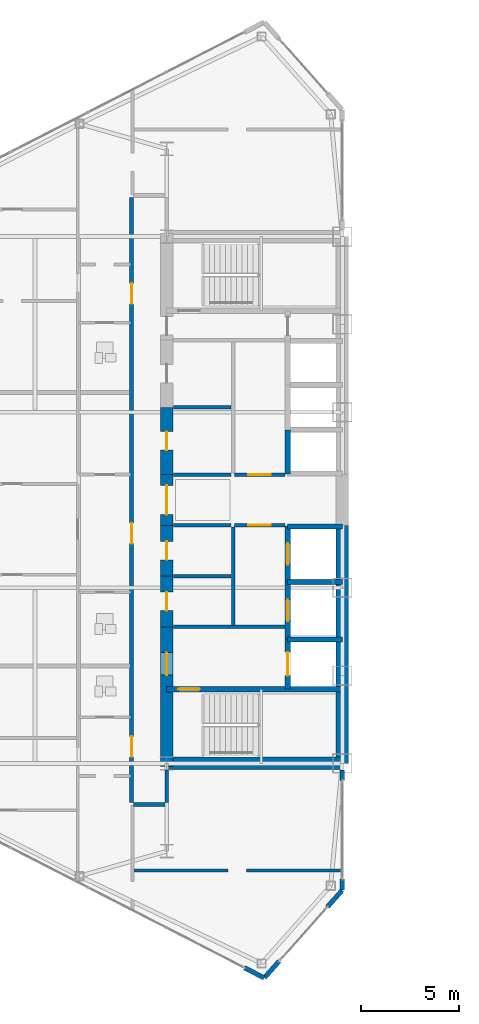
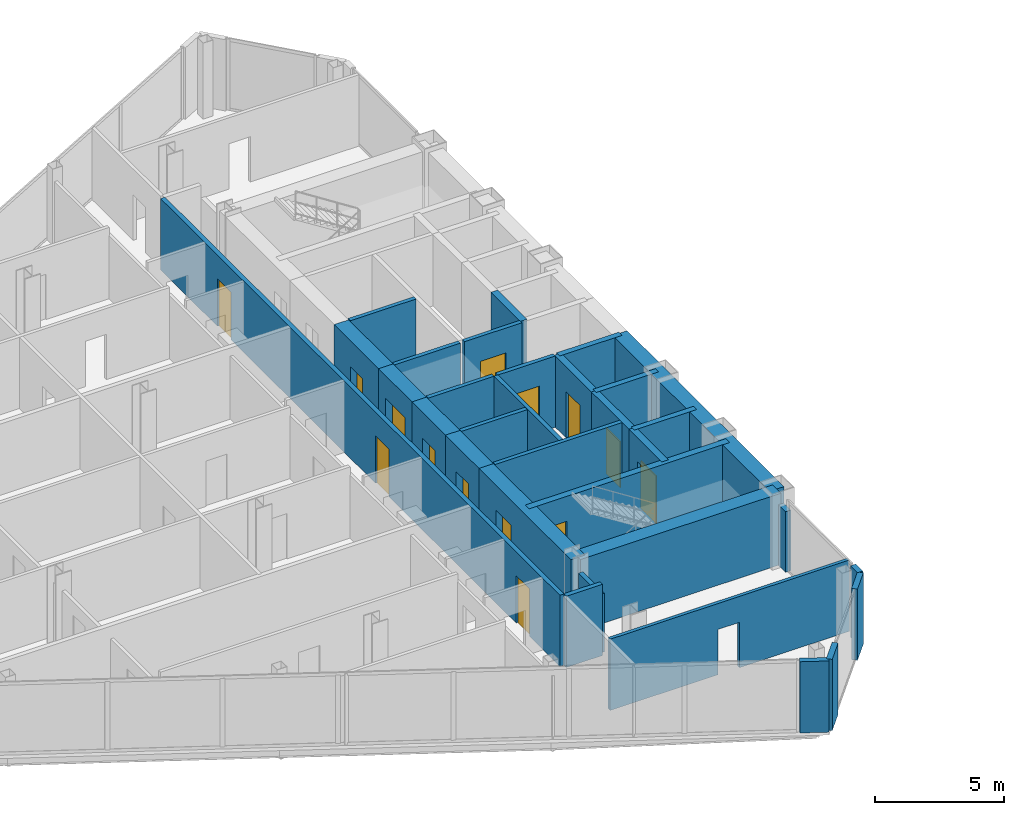
# One storey, part 17 of 24: 32 walls, 14 doors, 15 openings.
"""IFC4 building model written with IfcOpenShell, lengths in metres."""

from ifc_helpers import new_model, si_unit, direction, frame, frame_2d, origin, place, context, subcontext, project, spatial, rectangle, extrude, source, transform, mapped, material, layer, layer_set, type_object, type_shapes, element, fill, save


model = new_model("IFC4")

# Units and contexts
model_context = context("Model", 3, precision=1e-05, world=origin(), true_north=direction((0.0, 1.0)))
body_context = subcontext(model_context, "Body", "Model", "MODEL_VIEW")
ifc_project = project(units=[si_unit("LENGTHUNIT", "METRE"), si_unit("AREAUNIT", "SQUARE_METRE"), si_unit("VOLUMEUNIT", "CUBIC_METRE"), si_unit("PLANEANGLEUNIT", "RADIAN"), si_unit("MASSUNIT", "GRAM", prefix="KILO")], contexts=[model_context])

# Site, building, storey
site_placement = place(None, origin())
site = spatial("IfcSite", under=ifc_project, at=site_placement, CompositionType="ELEMENT")
building_placement = place(site_placement, origin())
building = spatial("IfcBuilding", under=site, at=building_placement, Name="Seokmaru Belvedere", CompositionType="ELEMENT")
storey_placement = place(building_placement, frame((0.0, 0.0, 114.0)))
storey = spatial("IfcBuildingStorey", under=building, at=storey_placement, Name="L30", CompositionType="ELEMENT", Elevation=114.0)

# Wall, opening
ifc_material_1 = material(Name="Fire-Rated Gypsum Shaftwall")
ifc_layer_1 = layer(ifc_material_1, 0.14990234375)
ifc_layer_set_1 = layer_set([ifc_layer_1], Name="Fire-Rated Gypsum Shaftwall")
wall_type_1 = type_object("IfcWallType", Name="Apartment Fire-Acoustic Room Partition 150", PredefinedType="PARTITIONING", material=ifc_layer_set_1)
wall_1_placement = place(storey_placement, frame((-38.199951171875, -19.0, 0.0), z_axis=(0.0, 0.0, 1.0), x_axis=(1.0, 0.0, 0.0)))
wall_1 = element("IfcWall", 1, at=wall_1_placement, inside=storey, type_object=wall_type_1, Name="L30 Interior Partition 001", PredefinedType="PARTITIONING", context=body_context, shape_type="SweptSolid", body=[
    extrude(rectangle(XDim=10.73486328125, YDim=0.14990234375, at=frame_2d((5.367431640625, 0.0))), origin(), (0.0, 0.0, 1.0), 3.3798828125),
])
opening_1_placement = place(wall_1_placement, frame((4.85009765625, 0.0, 0.0)))
element("IfcOpeningElement", 2, at=opening_1_placement, cuts=wall_1, Name="L30 Cased Opening 008", PredefinedType="OPENING", context=body_context, shape_type="SweptSolid", body=[
    extrude(rectangle(XDim=0.949951171875, YDim=2.14990234375, at=frame_2d((0.47509765625, 1.074951171875))), frame((0.0, 0.0849609375, 0.0), z_axis=(0.0, -1.0, 0.0), x_axis=(1.0, 0.0, 0.0)), (0.0, 0.0, 1.0), 0.169921875),
])

# Walls
ifc_layer_2 = layer(ifc_material_1, 0.179931640625)
ifc_layer_set_2 = layer_set([ifc_layer_2], Name="Fire-Rated Gypsum Shaftwall")
wall_type_2 = type_object("IfcWallType", Name="Core Service Fire Partition 180", PredefinedType="PARTITIONING", material=ifc_layer_set_2)
wall_2_placement = place(storey_placement, frame((-36.14990234375, -6.5, 0.0), z_axis=(0.0, 0.0, 1.0), x_axis=(1.0, 0.0, 0.0)))
element("IfcWall", 3, at=wall_2_placement, inside=storey, type_object=wall_type_2, Name="L30 West Firefighting Lobby Partition", PredefinedType="PARTITIONING", context=body_context, shape_type="SweptSolid", body=[
    extrude(rectangle(XDim=5.699951171875, YDim=0.179931640625, at=frame_2d((2.85009765625, 0.0))), origin(), (0.0, 0.0, 1.0), 3.3798828125),
])
wall_3_placement = place(storey_placement, frame((-33.10009765625, -6.419921875, 0.0), z_axis=(0.0, 0.0, 1.0), x_axis=(0.0, 1.0, 0.0)))
element("IfcWall", 4, at=wall_3_placement, inside=storey, type_object=wall_type_2, Name="L30 West South Core Service Back Wall", PredefinedType="PARTITIONING", context=body_context, shape_type="SweptSolid", body=[
    extrude(rectangle(XDim=5.0400390625, YDim=0.179931640625, at=frame_2d((2.52001953125, 0.0))), origin(), (0.0, 0.0, 1.0), 3.3798828125),
])

# Wall, opening, door
wall_4_placement = place(storey_placement, frame((-33.02001953125, -1.300048828125, 0.0), z_axis=(0.0, 0.0, 1.0), x_axis=(1.0, 0.0, 0.0)))
wall_4 = element("IfcWall", 5, at=wall_4_placement, inside=storey, type_object=wall_type_2, Name="L30 West South Lift Lobby Foyer Wall", PredefinedType="PARTITIONING", context=body_context, shape_type="SweptSolid", body=[
    extrude(rectangle(XDim=2.570068359375, YDim=0.179931640625, at=frame_2d((1.28515625, 0.0))), origin(), (0.0, 0.0, 1.0), 3.3798828125),
])
opening_2_placement = place(wall_4_placement, frame((0.7099609375, 0.0, 0.0)))
opening_2 = element("IfcOpeningElement", 6, at=opening_2_placement, cuts=wall_4, Name="Opening D02", PredefinedType="OPENING", context=body_context, shape_type="SweptSolid", body=[
    extrude(rectangle(XDim=1.14990234375, YDim=2.199951171875, at=frame_2d((0.574951171875, 1.10009765625))), frame((0.0, 0.10009765625, 0.0), z_axis=(0.0, -1.0, 0.0), x_axis=(1.0, 0.0, 0.0)), (0.0, 0.0, 1.0), 0.199951171875),
])
ifc_material_2 = material(Name="Fire-Rated Steel Leaf", Category="steel")
door_type_1 = type_object("IfcDoorType", Name="Lobby and Vestibule Fire Door 1150x2200", OperationType="NOTDEFINED", PredefinedType="DOOR", material=ifc_material_2)
shared_shape_1 = source(origin(), body_context, "Body", "SweptSolid", [
    extrude(rectangle(XDim=1.14990234375, YDim=2.199951171875, at=frame_2d((0.574951171875, 1.10009765625))), frame((0.0, 0.02490234375, 0.0), z_axis=(0.0, -1.0, 0.0), x_axis=(1.0, 0.0, 0.0)), (0.0, 0.0, 1.0), 0.050048828125),
])
type_shapes(door_type_1, [shared_shape_1])
door_1_placement = place(opening_2_placement, origin())
door_1 = element("IfcDoor", 7, at=door_1_placement, inside=storey, type_object=door_type_1, Name="L30 West South Core Foyer Door", OperationType="SINGLE_SWING_LEFT", OverallHeight=2.199951171875, OverallWidth=1.14990234375, PredefinedType="DOOR", context=body_context, shape_type="MappedRepresentation", body=[
    mapped(shared_shape_1, transform((0.0, 0.0, 0.0), scale=1.0)),
])
fill(opening_2, door_1)

wall_5_placement = place(storey_placement, frame((-33.02001953125, 1.300048828125, 0.0), z_axis=(0.0, 0.0, 1.0), x_axis=(1.0, 0.0, 0.0)))
wall_5 = element("IfcWall", 8, at=wall_5_placement, inside=storey, type_object=wall_type_2, Name="L30 West North Lift Lobby Foyer Wall", PredefinedType="PARTITIONING", context=body_context, shape_type="SweptSolid", body=[
    extrude(rectangle(XDim=2.570068359375, YDim=0.179931640625, at=frame_2d((1.28515625, 0.0))), origin(), (0.0, 0.0, 1.0), 3.3798828125),
])
opening_3_placement = place(wall_5_placement, frame((0.7099609375, 0.0, 0.0)))
opening_3 = element("IfcOpeningElement", 9, at=opening_3_placement, cuts=wall_5, Name="Opening D02", PredefinedType="OPENING", context=body_context, shape_type="SweptSolid", body=[
    extrude(rectangle(XDim=1.14990234375, YDim=2.199951171875, at=frame_2d((0.574951171875, 1.10009765625))), frame((0.0, 0.10009765625, 0.0), z_axis=(0.0, -1.0, 0.0), x_axis=(1.0, 0.0, 0.0)), (0.0, 0.0, 1.0), 0.199951171875),
])
door_2_placement = place(opening_3_placement, origin())
door_2 = element("IfcDoor", 10, at=door_2_placement, inside=storey, type_object=door_type_1, Name="L30 West North Lift Lobby Door", OperationType="SINGLE_SWING_RIGHT", OverallHeight=2.199951171875, OverallWidth=1.14990234375, PredefinedType="DOOR", context=body_context, shape_type="MappedRepresentation", body=[
    mapped(shared_shape_1, transform((0.0, 0.0, 0.0), scale=1.0)),
])
fill(opening_3, door_2)

# Walls
for number, where, z_axis, x_axis, name in (
    (11, (-36.14990234375, -1.300048828125, 0.0), (0.0, 0.0, 1.0), (1.0, 0.0, 0.0), "L30 West Foyer Side Wall S"),
    (12, (-36.14990234375, 1.300048828125, 0.0), (0.0, 0.0, 1.0), (1.0, 0.0, 0.0), "L30 West Foyer Side Wall N"),
    (13, (-36.14990234375, -3.89990234375, 0.0), (0.0, 0.0, 1.0), (1.0, 0.0, 0.0), "L30 West Core Service Partition 1"),
    (14, (-36.14990234375, 4.75, 0.0), (0.0, 0.0, 1.0), (1.0, 0.0, 0.0), "L30 West Core Service Partition 2"),
):
    element("IfcWall", number, at=place(storey_placement, frame(where, z_axis=z_axis, x_axis=x_axis)), inside=storey, type_object=wall_type_2, Name=name, PredefinedType="PARTITIONING", context=body_context, shape_type="SweptSolid", body=[
        extrude(rectangle(XDim=2.949951171875, YDim=0.179931640625, at=frame_2d((1.47509765625, 0.0))), origin(), (0.0, 0.0, 1.0), 3.3798828125),
    ])
ifc_material_3 = material(Name="Concrete C50 (50 MPa)", Category="concrete")
ifc_layer_3 = layer(ifc_material_3, 0.25)
ifc_layer_set_3 = layer_set([ifc_layer_3], Name="Concrete C50 (50 MPa)")
wall_type_3 = type_object("IfcWallType", Name="Hoistway Transverse Concrete Divider Wall 250", PredefinedType="SHEAR", material=ifc_layer_set_3)
for number, where, z_axis, x_axis, name in (
    (15, (-30.300048828125, -7.14990234375, 0.0), (0.0, 0.0, 1.0), (1.0, 0.0, 0.0), "L30 West Hoistway Divider Core Wall 1"),
    (16, (-30.300048828125, -4.199951171875, 0.0), (0.0, 0.0, 1.0), (1.0, 0.0, 0.0), "L30 West Hoistway Divider Core Wall 2"),
    (17, (-30.300048828125, -1.35009765625, 0.0), (0.0, 0.0, 1.0), (1.0, 0.0, 0.0), "L30 West Hoistway Divider Core Wall 3"),
):
    element("IfcWall", number, at=place(storey_placement, frame(where, z_axis=z_axis, x_axis=x_axis)), inside=storey, type_object=wall_type_3, Name=name, PredefinedType="SHEAR", context=body_context, shape_type="SweptSolid", body=[
        extrude(rectangle(XDim=2.800048828125, YDim=0.25, at=frame_2d((1.39990234375, 0.0))), origin(), (0.0, 0.0, 1.0), 3.3798828125),
    ])
ifc_layer_4 = layer(ifc_material_1, 0.199951171875)
ifc_layer_set_4 = layer_set([ifc_layer_4], Name="Fire-Rated Gypsum Shaftwall")
wall_type_4 = type_object("IfcWallType", Name="Inter-Tenancy Fire Compartment Partition 200", PredefinedType="PARTITIONING", material=ifc_layer_set_4)
wall_6_placement = place(storey_placement, frame((-38.215087890625, -15.60009765625, 0.0), z_axis=(0.0, 0.0, 1.0), x_axis=(1.0, 0.0, 0.0)))
element("IfcWall", 18, at=wall_6_placement, inside=storey, type_object=wall_type_4, Name="L30 Interior Partition 004", PredefinedType="PARTITIONING", context=body_context, shape_type="SweptSolid", body=[
    extrude(rectangle(XDim=1.630126953125, YDim=0.199951171875, at=frame_2d((0.81494140625, 0.0))), origin(), (0.0, 0.0, 1.0), 3.3798828125),
])

# Wall, openings, doors
wall_7_placement = place(storey_placement, frame((-38.300048828125, -15.514892578125, 0.0), z_axis=(0.0, 0.0, 1.0), x_axis=(0.0, 1.0, 0.0)))
wall_7 = element("IfcWall", 19, at=wall_7_placement, inside=storey, type_object=wall_type_4, Name="L30 Interior Partition 042", PredefinedType="PARTITIONING", context=body_context, shape_type="SweptSolid", body=[
    extrude(rectangle(XDim=31.02978515625, YDim=0.199951171875, at=frame_2d((15.514892578125, 0.0))), origin(), (0.0, 0.0, 1.0), 3.3798828125),
])
opening_4_placement = place(wall_7_placement, frame((2.344970703125, 0.0, 0.0)))
opening_4 = element("IfcOpeningElement", 20, at=opening_4_placement, cuts=wall_7, Name="Opening D03", PredefinedType="OPENING", context=body_context, shape_type="SweptSolid", body=[
    extrude(rectangle(XDim=1.050048828125, YDim=2.25, at=frame_2d((0.52490234375, 1.125))), frame((0.0, 0.10986328125, 0.0), z_axis=(0.0, -1.0, 0.0), x_axis=(1.0, 0.0, 0.0)), (0.0, 0.0, 1.0), 0.219970703125),
])
opening_5_placement = place(wall_7_placement, frame((13.280029296875, 0.0, 0.0)))
opening_5 = element("IfcOpeningElement", 21, at=opening_5_placement, cuts=wall_7, Name="Opening D03", PredefinedType="OPENING", context=body_context, shape_type="SweptSolid", body=[
    extrude(rectangle(XDim=1.050048828125, YDim=2.25, at=frame_2d((0.52490234375, 1.125))), frame((0.0, 0.10986328125, 0.0), z_axis=(0.0, -1.0, 0.0), x_axis=(1.0, 0.0, 0.0)), (0.0, 0.0, 1.0), 0.219970703125),
])
opening_6_placement = place(wall_7_placement, frame((25.5673828125, 0.0, 0.0)))
opening_6 = element("IfcOpeningElement", 22, at=opening_6_placement, cuts=wall_7, Name="Opening D03", PredefinedType="OPENING", context=body_context, shape_type="SweptSolid", body=[
    extrude(rectangle(XDim=1.050048828125, YDim=2.25, at=frame_2d((0.52490234375, 1.125))), frame((0.0, 0.10986328125, 0.0), z_axis=(0.0, -1.0, 0.0), x_axis=(1.0, 0.0, 0.0)), (0.0, 0.0, 1.0), 0.219970703125),
])
door_type_2 = type_object("IfcDoorType", Name="Apartment Entrance Fire Door 1050x2250", OperationType="NOTDEFINED", PredefinedType="DOOR", material=ifc_material_2)
shared_shape_2 = source(origin(), body_context, "Body", "SweptSolid", [
    extrude(rectangle(XDim=1.050048828125, YDim=2.25, at=frame_2d((0.52490234375, 1.125))), frame((0.0, 0.02490234375, 0.0), z_axis=(0.0, -1.0, 0.0), x_axis=(1.0, 0.0, 0.0)), (0.0, 0.0, 1.0), 0.050048828125),
])
type_shapes(door_type_2, [shared_shape_2])
door_3_placement = place(opening_4_placement, origin())
door_3 = element("IfcDoor", 23, at=door_3_placement, inside=storey, type_object=door_type_2, Name="L30 Interior Door 001", OperationType="SINGLE_SWING_RIGHT", OverallHeight=2.25, OverallWidth=1.050048828125, PredefinedType="DOOR", context=body_context, shape_type="MappedRepresentation", body=[
    mapped(shared_shape_2, transform((0.0, 0.0, 0.0), scale=1.0)),
])
fill(opening_4, door_3)
door_4_placement = place(opening_5_placement, origin())
door_4 = element("IfcDoor", 24, at=door_4_placement, inside=storey, type_object=door_type_2, Name="L30 Interior Door 010", OperationType="SINGLE_SWING_LEFT", OverallHeight=2.25, OverallWidth=1.050048828125, PredefinedType="DOOR", context=body_context, shape_type="MappedRepresentation", body=[
    mapped(shared_shape_2, transform((0.0, 0.0, 0.0), scale=1.0)),
])
fill(opening_5, door_4)
door_5_placement = place(opening_6_placement, origin())
door_5 = element("IfcDoor", 25, at=door_5_placement, inside=storey, type_object=door_type_2, Name="L30 Interior Door 025", OperationType="SINGLE_SWING_RIGHT", OverallHeight=2.25, OverallWidth=1.050048828125, PredefinedType="DOOR", context=body_context, shape_type="MappedRepresentation", body=[
    mapped(shared_shape_2, transform((0.0, 0.0, 0.0), scale=1.0)),
])
fill(opening_6, door_5)

# Wall
wall_8_placement = place(storey_placement, frame((-36.5, -15.514892578125, 0.0), z_axis=(0.0, 0.0, 1.0), x_axis=(0.0, 1.0, 0.0)))
element("IfcWall", 26, at=wall_8_placement, inside=storey, type_object=wall_type_4, Name="L30 Interior Partition 045", PredefinedType="PARTITIONING", context=body_context, shape_type="SweptSolid", body=[
    extrude(rectangle(XDim=1.684814453125, YDim=0.199951171875, at=frame_2d((0.84228515625, 0.0))), origin(), (0.0, 0.0, 1.0), 2.780029296875),
])

# Wall, opening, door
ifc_layer_5 = layer(ifc_material_3, 0.300048828125)
ifc_layer_set_5 = layer_set([ifc_layer_5], Name="Concrete C50 (50 MPa)")
wall_type_5 = type_object("IfcWallType", Name="Internal Core Stair and Hoistway Wall 300", PredefinedType="SHEAR", material=ifc_layer_set_5)
wall_9_placement = place(storey_placement, frame((-36.5, -9.699951171875, 0.0), z_axis=(0.0, 0.0, 1.0), x_axis=(1.0, 0.0, 0.0)))
wall_9 = element("IfcWall", 27, at=wall_9_placement, inside=storey, type_object=wall_type_5, Name="L30 West Stair ST-1 Enclosure Wall", PredefinedType="SHEAR", context=body_context, shape_type="SweptSolid", body=[
    extrude(rectangle(XDim=9.0, YDim=0.300048828125, at=frame_2d((4.5, 0.0))), origin(), (0.0, 0.0, 1.0), 3.3798828125),
])
opening_7_placement = place(wall_9_placement, frame((0.60009765625, 0.0, 0.0)))
opening_7 = element("IfcOpeningElement", 28, at=opening_7_placement, cuts=wall_9, Name="Opening D01", PredefinedType="OPENING", context=body_context, shape_type="SweptSolid", body=[
    extrude(rectangle(XDim=1.10009765625, YDim=2.199951171875, at=frame_2d((0.550048828125, 1.10009765625))), frame((0.0, 0.16015625, 0.0), z_axis=(0.0, -1.0, 0.0), x_axis=(1.0, 0.0, 0.0)), (0.0, 0.0, 1.0), 0.320068359375),
])
door_type_3 = type_object("IfcDoorType", Name="Special Escape Stair Smokeproof Fire Door 1100x2200", OperationType="NOTDEFINED", PredefinedType="DOOR", material=ifc_material_2)
shared_shape_3 = source(origin(), body_context, "Body", "SweptSolid", [
    extrude(rectangle(XDim=1.10009765625, YDim=2.199951171875, at=frame_2d((0.550048828125, 1.10009765625))), frame((0.0, 0.02490234375, 0.0), z_axis=(0.0, -1.0, 0.0), x_axis=(1.0, 0.0, 0.0)), (0.0, 0.0, 1.0), 0.050048828125),
])
type_shapes(door_type_3, [shared_shape_3])
door_6_placement = place(opening_7_placement, frame((1.10009765625, 0.0, 0.0), z_axis=(0.0, 0.0, 1.0), x_axis=(-1.0, 0.0, 0.0)))
door_6 = element("IfcDoor", 29, at=door_6_placement, inside=storey, type_object=door_type_3, Name="L30 West Special Escape Stair ST-1 Door", OperationType="SINGLE_SWING_LEFT", OverallHeight=2.199951171875, OverallWidth=1.10009765625, PredefinedType="DOOR", context=body_context, shape_type="MappedRepresentation", body=[
    mapped(shared_shape_3, transform((0.0, 0.0, 0.0), scale=1.0)),
])
fill(opening_7, door_6)

wall_10_placement = place(storey_placement, frame((-30.300048828125, -9.679931640625, 0.0), z_axis=(0.0, 0.0, 1.0), x_axis=(0.0, 1.0, 0.0)))
wall_10 = element("IfcWall", 30, at=wall_10_placement, inside=storey, type_object=wall_type_5, Name="L30 West Firefighting Lift Shaft Front Wall", PredefinedType="SHEAR", context=body_context, shape_type="SweptSolid", body=[
    extrude(rectangle(XDim=2.559814453125, YDim=0.300048828125, at=frame_2d((1.27978515625, 0.0))), origin(), (0.0, 0.0, 1.0), 3.3798828125),
])
opening_8_placement = place(wall_10_placement, frame((0.679931640625, 0.0, 0.0)))
opening_8 = element("IfcOpeningElement", 31, at=opening_8_placement, cuts=wall_10, Name="Opening LD2", PredefinedType="OPENING", context=body_context, shape_type="SweptSolid", body=[
    extrude(rectangle(XDim=1.199951171875, YDim=2.25, at=frame_2d((0.60009765625, 1.125))), frame((0.0, 0.16015625, 0.0), z_axis=(0.0, -1.0, 0.0), x_axis=(1.0, 0.0, 0.0)), (0.0, 0.0, 1.0), 0.320068359375),
])
ifc_material_4 = material(Name="Stainless Steel 316", Category="steel")
door_type_4 = type_object("IfcDoorType", Name="Firefighting Lift Sliding Landing Door 1200x2250", OperationType="DOUBLE_DOOR_SLIDING", PredefinedType="DOOR", material=ifc_material_4)
shared_shape_4 = source(origin(), body_context, "Body", "SweptSolid", [
    extrude(rectangle(XDim=1.199951171875, YDim=2.25, at=frame_2d((0.60009765625, 1.125))), frame((0.0, 0.02490234375, 0.0), z_axis=(0.0, -1.0, 0.0), x_axis=(1.0, 0.0, 0.0)), (0.0, 0.0, 1.0), 0.050048828125),
])
type_shapes(door_type_4, [shared_shape_4])
door_7_placement = place(opening_8_placement, origin())
door_7 = element("IfcDoor", 32, at=door_7_placement, inside=storey, type_object=door_type_4, Name="L30 West Firefighting Lift Landing Door", OperationType="DOUBLE_DOOR_SLIDING", OverallHeight=2.25, OverallWidth=1.199951171875, PredefinedType="DOOR", context=body_context, shape_type="MappedRepresentation", body=[
    mapped(shared_shape_4, transform((0.0, 0.0, 0.0), scale=1.0)),
])
fill(opening_8, door_7)

wall_11_placement = place(storey_placement, frame((-30.300048828125, -7.1201171875, 0.0), z_axis=(0.0, 0.0, 1.0), x_axis=(0.0, 1.0, 0.0)))
wall_11 = element("IfcWall", 33, at=wall_11_placement, inside=storey, type_object=wall_type_5, Name="L30 West Low-Rise Lift PL-1 Front Wall", PredefinedType="SHEAR", context=body_context, shape_type="SweptSolid", body=[
    extrude(rectangle(XDim=2.920166015625, YDim=0.300048828125, at=frame_2d((1.4599609375, 0.0))), origin(), (0.0, 0.0, 1.0), 3.3798828125),
])
opening_9_placement = place(wall_11_placement, frame((0.909912109375, 0.0, 0.0)))
opening_9 = element("IfcOpeningElement", 34, at=opening_9_placement, cuts=wall_11, Name="Opening LD1", PredefinedType="OPENING", context=body_context, shape_type="SweptSolid", body=[
    extrude(rectangle(XDim=1.10009765625, YDim=2.199951171875, at=frame_2d((0.550048828125, 1.10009765625))), frame((0.0, 0.16015625, 0.0), z_axis=(0.0, -1.0, 0.0), x_axis=(1.0, 0.0, 0.0)), (0.0, 0.0, 1.0), 0.320068359375),
])
door_type_5 = type_object("IfcDoorType", Name="Passenger Lift Sliding Landing Door 1100x2200", OperationType="DOUBLE_DOOR_SLIDING", PredefinedType="DOOR", material=ifc_material_4)
shared_shape_5 = source(origin(), body_context, "Body", "SweptSolid", [
    extrude(rectangle(XDim=1.10009765625, YDim=2.199951171875, at=frame_2d((0.550048828125, 1.10009765625))), frame((0.0, 0.02490234375, 0.0), z_axis=(0.0, -1.0, 0.0), x_axis=(1.0, 0.0, 0.0)), (0.0, 0.0, 1.0), 0.050048828125),
])
type_shapes(door_type_5, [shared_shape_5])
door_8_placement = place(opening_9_placement, origin())
door_8 = element("IfcDoor", 35, at=door_8_placement, inside=storey, type_object=door_type_5, Name="L30 West Low-Rise Lift PL-1 Landing Door", OperationType="DOUBLE_DOOR_SLIDING", OverallHeight=2.199951171875, OverallWidth=1.10009765625, PredefinedType="DOOR", context=body_context, shape_type="MappedRepresentation", body=[
    mapped(shared_shape_5, transform((0.0, 0.0, 0.0), scale=1.0)),
])
fill(opening_9, door_8)

wall_12_placement = place(storey_placement, frame((-30.300048828125, -4.199951171875, 0.0), z_axis=(0.0, 0.0, 1.0), x_axis=(0.0, 1.0, 0.0)))
wall_12 = element("IfcWall", 36, at=wall_12_placement, inside=storey, type_object=wall_type_5, Name="L30 West Low-Rise Lift PL-2 Front Wall", PredefinedType="SHEAR", context=body_context, shape_type="SweptSolid", body=[
    extrude(rectangle(XDim=2.8798828125, YDim=0.300048828125, at=frame_2d((1.43994140625, 0.0))), origin(), (0.0, 0.0, 1.0), 3.3798828125),
])
opening_10_placement = place(wall_12_placement, frame((0.889892578125, 0.0, 0.0)))
opening_10 = element("IfcOpeningElement", 37, at=opening_10_placement, cuts=wall_12, Name="Opening LD1", PredefinedType="OPENING", context=body_context, shape_type="SweptSolid", body=[
    extrude(rectangle(XDim=1.10009765625, YDim=2.199951171875, at=frame_2d((0.550048828125, 1.10009765625))), frame((0.0, 0.16015625, 0.0), z_axis=(0.0, -1.0, 0.0), x_axis=(1.0, 0.0, 0.0)), (0.0, 0.0, 1.0), 0.320068359375),
])
door_9_placement = place(opening_10_placement, origin())
door_9 = element("IfcDoor", 38, at=door_9_placement, inside=storey, type_object=door_type_5, Name="L30 West Low-Rise Lift PL-2 Landing Door", OperationType="DOUBLE_DOOR_SLIDING", OverallHeight=2.199951171875, OverallWidth=1.10009765625, PredefinedType="DOOR", context=body_context, shape_type="MappedRepresentation", body=[
    mapped(shared_shape_5, transform((0.0, 0.0, 0.0), scale=1.0)),
])
fill(opening_10, door_9)

# Walls
wall_13_placement = place(storey_placement, frame((-30.300048828125, 1.320068359375, 0.0), z_axis=(0.0, 0.0, 1.0), x_axis=(0.0, 1.0, 0.0)))
element("IfcWall", 39, at=wall_13_placement, inside=storey, type_object=wall_type_5, Name="L30 West North Hoistway Wall PH1", PredefinedType="SHEAR", context=body_context, shape_type="SweptSolid", body=[
    extrude(rectangle(XDim=2.280029296875, YDim=0.300048828125, at=frame_2d((1.14013671875, 0.0))), origin(), (0.0, 0.0, 1.0), 3.3798828125),
])
ifc_material_5 = material(Name="Concrete C60 (60 MPa)", Category="concrete")
ifc_layer_6 = layer(ifc_material_5, 0.64990234375)
ifc_layer_set_6 = layer_set([ifc_layer_6], Name="Concrete C60 (60 MPa)")
wall_type_6 = type_object("IfcWallType", Name="Mid-Low Reinforced Concrete Core Wall 650", PredefinedType="SHEAR", material=ifc_layer_set_6)
wall_14_placement = place(storey_placement, frame((-27.5, -13.5, 0.0), z_axis=(0.0, 0.0, 1.0), x_axis=(0.0, 1.0, 0.0)))
element("IfcWall", 40, at=wall_14_placement, inside=storey, type_object=wall_type_6, Name="L30 West Portal Spine Core Wall South", PredefinedType="SHEAR", context=body_context, shape_type="SweptSolid", body=[
    extrude(rectangle(XDim=12.199951171875, YDim=0.64990234375, at=frame_2d((6.10009765625, 0.0))), origin(), (0.0, 0.0, 1.0), 3.3798828125),
])
wall_15_placement = place(storey_placement, frame((-36.5, -13.5, 0.0), z_axis=(0.0, 0.0, 1.0), x_axis=(1.0, 0.0, 0.0)))
element("IfcWall", 41, at=wall_15_placement, inside=storey, type_object=wall_type_6, Name="L30 West South Core Wall", PredefinedType="SHEAR", context=body_context, shape_type="SweptSolid", body=[
    extrude(rectangle(XDim=9.0, YDim=0.64990234375, at=frame_2d((4.5, 0.0))), origin(), (0.0, 0.0, 1.0), 3.3798828125),
])

# Wall, opening, door
wall_16_placement = place(storey_placement, frame((-36.5, -13.64990234375, 0.0), z_axis=(0.0, 0.0, 1.0), x_axis=(0.0, 1.0, 0.0)))
wall_16 = element("IfcWall", 42, at=wall_16_placement, inside=storey, type_object=wall_type_6, Name="L30 West West Core Wall FF", PredefinedType="SHEAR", context=body_context, shape_type="SweptSolid", body=[
    extrude(rectangle(XDim=7.14990234375, YDim=0.64990234375, at=frame_2d((3.574951171875, 0.0))), origin(), (0.0, 0.0, 1.0), 3.3798828125),
])
opening_11_placement = place(wall_16_placement, frame((4.675048828125, 0.0, 0.0)))
opening_11 = element("IfcOpeningElement", 43, at=opening_11_placement, cuts=wall_16, Name="Opening D02", PredefinedType="OPENING", context=body_context, shape_type="SweptSolid", body=[
    extrude(rectangle(XDim=1.14990234375, YDim=2.199951171875, at=frame_2d((0.574951171875, 1.10009765625))), frame((0.0, 0.3349609375, 0.0), z_axis=(0.0, -1.0, 0.0), x_axis=(1.0, 0.0, 0.0)), (0.0, 0.0, 1.0), 0.669921875),
])
door_10_placement = place(opening_11_placement, frame((1.14990234375, 0.0, 0.0), z_axis=(0.0, 0.0, 1.0), x_axis=(-1.0, 0.0, 0.0)))
door_10 = element("IfcDoor", 44, at=door_10_placement, inside=storey, type_object=door_type_1, Name="L30 West Firefighting Lobby Door", OperationType="SINGLE_SWING_LEFT", OverallHeight=2.199951171875, OverallWidth=1.14990234375, PredefinedType="DOOR", context=body_context, shape_type="MappedRepresentation", body=[
    mapped(shared_shape_1, transform((0.0, 0.0, 0.0), scale=1.0)),
])
fill(opening_11, door_10)

wall_17_placement = place(storey_placement, frame((-36.5, -1.300048828125, 0.0), z_axis=(0.0, 0.0, 1.0), x_axis=(0.0, 1.0, 0.0)))
wall_17 = element("IfcWall", 45, at=wall_17_placement, inside=storey, type_object=wall_type_6, Name="L30 West West Core Wall FOY", PredefinedType="SHEAR", context=body_context, shape_type="SweptSolid", body=[
    extrude(rectangle(XDim=2.60009765625, YDim=0.64990234375, at=frame_2d((1.300048828125, 0.0))), origin(), (0.0, 0.0, 1.0), 3.3798828125),
])
opening_12_placement = place(wall_17_placement, frame((0.550048828125, 0.0, 0.0)))
opening_12 = element("IfcOpeningElement", 46, at=opening_12_placement, cuts=wall_17, Name="Opening D08", PredefinedType="OPENING", context=body_context, shape_type="SweptSolid", body=[
    extrude(rectangle(XDim=1.5, YDim=2.300048828125, at=frame_2d((0.75, 1.14990234375))), frame((0.0, 0.3349609375, 0.0), z_axis=(0.0, -1.0, 0.0), x_axis=(1.0, 0.0, 0.0)), (0.0, 0.0, 1.0), 0.669921875),
])
door_type_6 = type_object("IfcDoorType", Name="Cross-Corridor Compartment Double Fire Door 1500x2300", OperationType="DOUBLE_SWING_LEFT", PredefinedType="DOOR", material=ifc_material_2)
shared_shape_6 = source(origin(), body_context, "Body", "SweptSolid", [
    extrude(rectangle(XDim=1.5, YDim=2.300048828125, at=frame_2d((0.75, 1.14990234375))), frame((0.0, 0.02490234375, 0.0), z_axis=(0.0, -1.0, 0.0), x_axis=(1.0, 0.0, 0.0)), (0.0, 0.0, 1.0), 0.050048828125),
])
type_shapes(door_type_6, [shared_shape_6])
door_11_placement = place(opening_12_placement, origin())
door_11 = element("IfcDoor", 47, at=door_11_placement, inside=storey, type_object=door_type_6, Name="L30 West Core Foyer Compartment Door", OperationType="DOUBLE_SWING_LEFT", OverallHeight=2.300048828125, OverallWidth=1.5, PredefinedType="DOOR", context=body_context, shape_type="MappedRepresentation", body=[
    mapped(shared_shape_6, transform((0.0, 0.0, 0.0), scale=1.0)),
])
fill(opening_12, door_11)

wall_18_placement = place(storey_placement, frame((-36.5, -6.5, 0.0), z_axis=(0.0, 0.0, 1.0), x_axis=(0.0, 1.0, 0.0)))
wall_18 = element("IfcWall", 48, at=wall_18_placement, inside=storey, type_object=wall_type_6, Name="L30 West West Core Wall CS1", PredefinedType="SHEAR", context=body_context, shape_type="SweptSolid", body=[
    extrude(rectangle(XDim=2.60009765625, YDim=0.64990234375, at=frame_2d((1.300048828125, 0.0))), origin(), (0.0, 0.0, 1.0), 3.3798828125),
])
opening_13_placement = place(wall_18_placement, frame((0.824951171875, 0.0, 0.0)))
opening_13 = element("IfcOpeningElement", 49, at=opening_13_placement, cuts=wall_18, Name="Opening D04", PredefinedType="OPENING", context=body_context, shape_type="SweptSolid", body=[
    extrude(rectangle(XDim=0.949951171875, YDim=2.14990234375, at=frame_2d((0.47509765625, 1.074951171875))), frame((0.0, 0.3349609375, 0.0), z_axis=(0.0, -1.0, 0.0), x_axis=(1.0, 0.0, 0.0)), (0.0, 0.0, 1.0), 0.669921875),
])
door_type_7 = type_object("IfcDoorType", Name="Core Service Room Fire Door 950x2150", OperationType="NOTDEFINED", PredefinedType="DOOR", material=ifc_material_2)
shared_shape_7 = source(origin(), body_context, "Body", "SweptSolid", [
    extrude(rectangle(XDim=0.949951171875, YDim=2.14990234375, at=frame_2d((0.47509765625, 1.074951171875))), frame((0.0, 0.02490234375, 0.0), z_axis=(0.0, -1.0, 0.0), x_axis=(1.0, 0.0, 0.0)), (0.0, 0.0, 1.0), 0.050048828125),
])
type_shapes(door_type_7, [shared_shape_7])
door_12_placement = place(opening_13_placement, origin())
door_12 = element("IfcDoor", 50, at=door_12_placement, inside=storey, type_object=door_type_7, Name="L30 West Core Service Room Door 1", OperationType="SINGLE_SWING_LEFT", OverallHeight=2.14990234375, OverallWidth=0.949951171875, PredefinedType="DOOR", context=body_context, shape_type="MappedRepresentation", body=[
    mapped(shared_shape_7, transform((0.0, 0.0, 0.0), scale=1.0)),
])
fill(opening_13, door_12)

wall_19_placement = place(storey_placement, frame((-36.5, -3.89990234375, 0.0), z_axis=(0.0, 0.0, 1.0), x_axis=(0.0, 1.0, 0.0)))
wall_19 = element("IfcWall", 51, at=wall_19_placement, inside=storey, type_object=wall_type_6, Name="L30 West West Core Wall CS2", PredefinedType="SHEAR", context=body_context, shape_type="SweptSolid", body=[
    extrude(rectangle(XDim=2.599853515625, YDim=0.64990234375, at=frame_2d((1.2998046875, 0.0))), origin(), (0.0, 0.0, 1.0), 3.3798828125),
])
opening_14_placement = place(wall_19_placement, frame((0.824951171875, 0.0, 0.0)))
opening_14 = element("IfcOpeningElement", 52, at=opening_14_placement, cuts=wall_19, Name="Opening D04", PredefinedType="OPENING", context=body_context, shape_type="SweptSolid", body=[
    extrude(rectangle(XDim=0.949951171875, YDim=2.14990234375, at=frame_2d((0.47509765625, 1.074951171875))), frame((0.0, 0.3349609375, 0.0), z_axis=(0.0, -1.0, 0.0), x_axis=(1.0, 0.0, 0.0)), (0.0, 0.0, 1.0), 0.669921875),
])
door_13_placement = place(opening_14_placement, origin())
door_13 = element("IfcDoor", 53, at=door_13_placement, inside=storey, type_object=door_type_7, Name="L30 West Core Service Room Door 2", OperationType="SINGLE_SWING_RIGHT", OverallHeight=2.14990234375, OverallWidth=0.949951171875, PredefinedType="DOOR", context=body_context, shape_type="MappedRepresentation", body=[
    mapped(shared_shape_7, transform((0.0, 0.0, 0.0), scale=1.0)),
])
fill(opening_14, door_13)

wall_20_placement = place(storey_placement, frame((-36.5, 1.300048828125, 0.0), z_axis=(0.0, 0.0, 1.0), x_axis=(0.0, 1.0, 0.0)))
wall_20 = element("IfcWall", 54, at=wall_20_placement, inside=storey, type_object=wall_type_6, Name="L30 West West Core Wall CS3", PredefinedType="SHEAR", context=body_context, shape_type="SweptSolid", body=[
    extrude(rectangle(XDim=3.449951171875, YDim=0.64990234375, at=frame_2d((1.72509765625, 0.0))), origin(), (0.0, 0.0, 1.0), 3.3798828125),
])
opening_15_placement = place(wall_20_placement, frame((1.25, 0.0, 0.0)))
opening_15 = element("IfcOpeningElement", 55, at=opening_15_placement, cuts=wall_20, Name="Opening D04", PredefinedType="OPENING", context=body_context, shape_type="SweptSolid", body=[
    extrude(rectangle(XDim=0.949951171875, YDim=2.14990234375, at=frame_2d((0.47509765625, 1.074951171875))), frame((0.0, 0.3349609375, 0.0), z_axis=(0.0, -1.0, 0.0), x_axis=(1.0, 0.0, 0.0)), (0.0, 0.0, 1.0), 0.669921875),
])
door_14_placement = place(opening_15_placement, origin())
door_14 = element("IfcDoor", 56, at=door_14_placement, inside=storey, type_object=door_type_7, Name="L30 West Core Service Room Door 3", OperationType="SINGLE_SWING_LEFT", OverallHeight=2.14990234375, OverallWidth=0.949951171875, PredefinedType="DOOR", context=body_context, shape_type="MappedRepresentation", body=[
    mapped(shared_shape_7, transform((0.0, 0.0, 0.0), scale=1.0)),
])
fill(opening_15, door_14)

# Walls
ifc_material_6 = material(Name="Anodised Bronze Aluminium", Category="aluminium")
ifc_layer_7 = layer(ifc_material_6, 0.239990234375)
ifc_layer_set_7 = layer_set([ifc_layer_7], Name="Anodised Bronze Aluminium")
wall_type_7 = type_object("IfcWallType", Name="Tower Corner Spandrel Closure Wall 240", PredefinedType="SOLIDWALL", material=ifc_layer_set_7)
wall_21_placement = place(storey_placement, frame((-27.5, -19.97998046875, 0.0), z_axis=(0.0, 0.0, 1.0), x_axis=(0.0, 1.0, 0.0)))
element("IfcWall", 57, at=wall_21_placement, inside=storey, type_object=wall_type_7, Name="L30 W Spine Closure Pier 1A", PredefinedType="SOLIDWALL", context=body_context, shape_type="SweptSolid", body=[
    extrude(rectangle(XDim=0.550048828125, YDim=0.239990234375, at=frame_2d((0.27490234375, 0.0))), origin(), (0.0, 0.0, 1.0), 3.3798828125),
])
wall_22_placement = place(storey_placement, frame((-27.5, -14.3798828125, 0.0), z_axis=(0.0, 0.0, 1.0), x_axis=(0.0, 1.0, 0.0)))
element("IfcWall", 58, at=wall_22_placement, inside=storey, type_object=wall_type_7, Name="L30 W Spine Closure Pier 1B", PredefinedType="SOLIDWALL", context=body_context, shape_type="SweptSolid", body=[
    extrude(rectangle(XDim=0.5498046875, YDim=0.239990234375, at=frame_2d((0.27490234375, 0.0))), origin(), (0.0, 0.0, 1.0), 2.8798828125),
])
wall_23_placement = place(storey_placement, frame((-32.523193359375, -23.97509765625, 0.0), z_axis=(0.0, 0.0, 1.0), x_axis=(0.889797395748, -0.456355776255, 0.0)))
element("IfcWall", 59, at=wall_23_placement, inside=storey, type_object=wall_type_7, Name="L30 W Corner Closure Pier 5B", PredefinedType="SOLIDWALL", context=body_context, shape_type="SweptSolid", body=[
    extrude(rectangle(XDim=1.14013671875, YDim=0.239990234375, at=frame_2d((0.570068359375, 0.0))), origin(), (0.0, 0.0, 1.0), 3.3798828125),
])
for number, where, z_axis, x_axis, name in (
    (60, (-31.493408203125, -24.492431640625, 0.0), (0.0, 0.0, 1.0), (0.664337252513, 0.747432950119, 0.0), "L30 W Corner Closure Pier 6A"),
    (61, (-28.263916015625, -20.859619140625, 0.0), (0.0, 0.0, 1.0), (0.664337252513, 0.747432950119, 0.0), "L30 W Corner Closure Pier 6B"),
):
    element("IfcWall", number, at=place(storey_placement, frame(where, z_axis=z_axis, x_axis=x_axis)), inside=storey, type_object=wall_type_7, Name=name, PredefinedType="SOLIDWALL", context=body_context, shape_type="SweptSolid", body=[
        extrude(rectangle(XDim=1.139892578125, YDim=0.239990234375, at=frame_2d((0.56982421875, 0.0))), origin(), (0.0, 0.0, 1.0), 3.3798828125),
    ])

save(model, "model.ifc")
